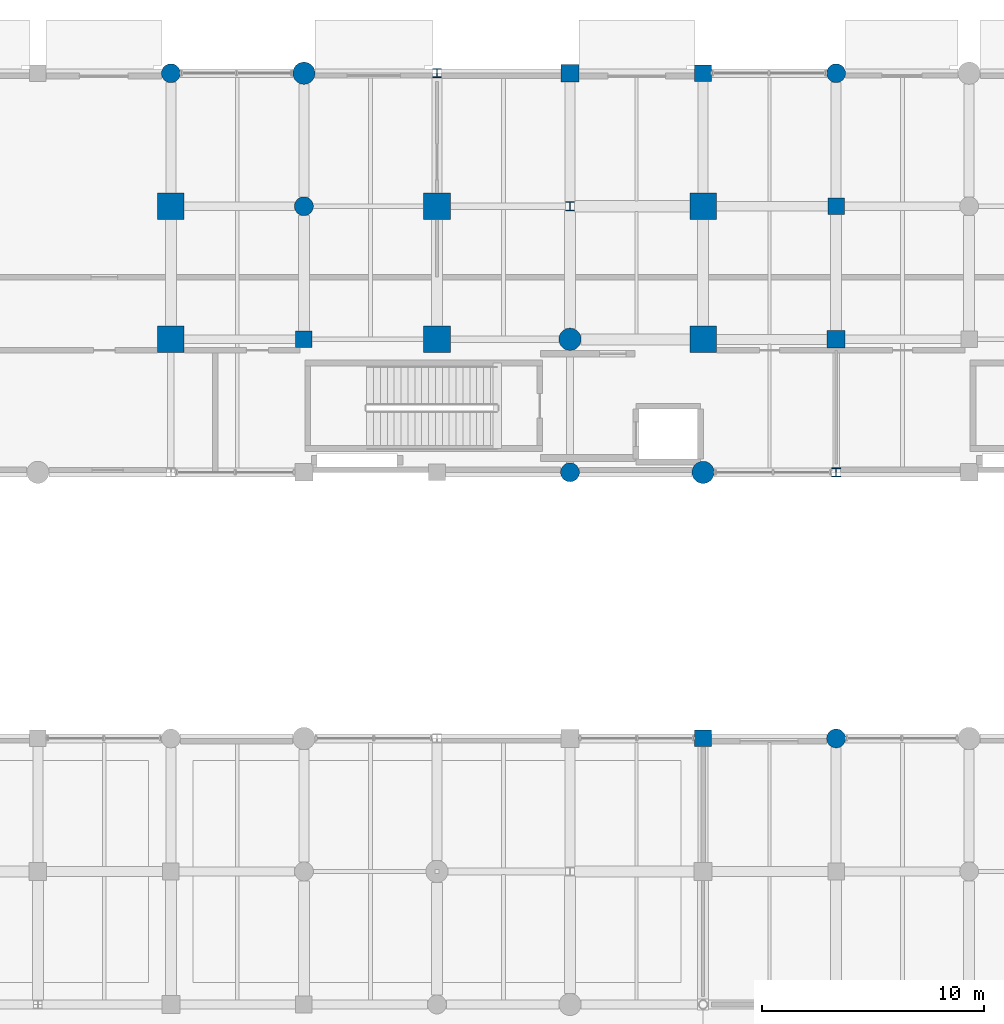
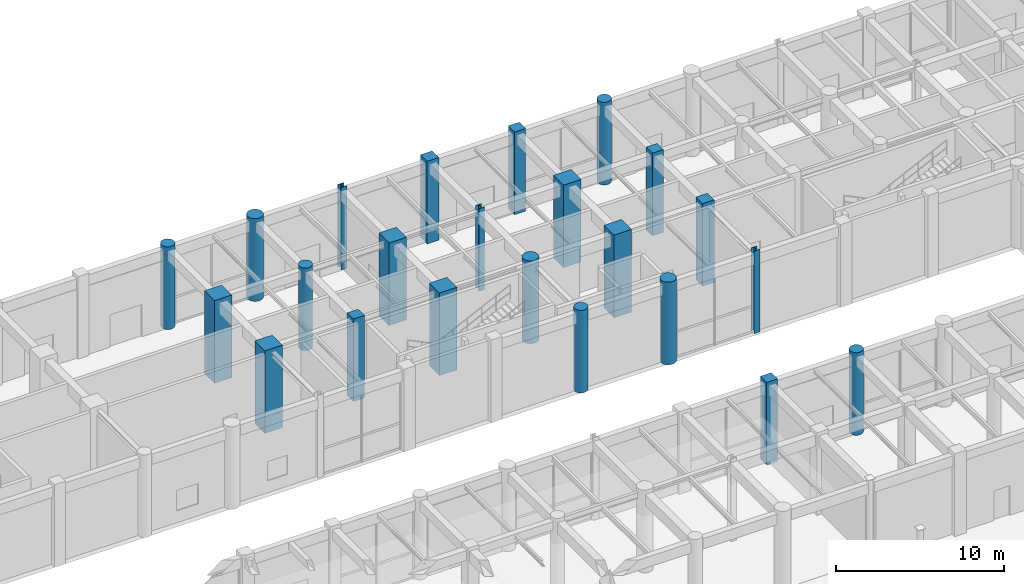
# One storey, part 15 of 106: 23 columns.
"""IFC4 building model written with IfcOpenShell, lengths in metres."""

from ifc_helpers import new_model, si_unit, direction, frame, origin, origin_2d, place, context, subcontext, project, spatial, rectangle, circle, i_section, extrude, material, material_profile, profile_set, type_object, element, save


model = new_model("IFC4")

# Units and contexts
model_context = context("Model", 3, precision=1e-05, world=origin(), true_north=direction((0.0, 1.0)))
body_context = subcontext(model_context, "Body", "Model", "MODEL_VIEW")
ifc_project = project(units=[si_unit("LENGTHUNIT", "METRE"), si_unit("AREAUNIT", "SQUARE_METRE"), si_unit("VOLUMEUNIT", "CUBIC_METRE"), si_unit("PLANEANGLEUNIT", "RADIAN"), si_unit("MASSUNIT", "GRAM", prefix="KILO"), si_unit("THERMODYNAMICTEMPERATUREUNIT", "KELVIN"), si_unit("POWERUNIT", "WATT")], contexts=[model_context])

# Site, building, storey
site_placement = place(None, origin())
site = spatial("IfcSite", under=ifc_project, at=site_placement, CompositionType="ELEMENT")
building_placement = place(site_placement, origin())
building = spatial("IfcBuilding", under=site, at=building_placement, Name="Phaisarnlok Congress Hotel", CompositionType="ELEMENT")
storey_placement = place(building_placement, origin())
storey = spatial("IfcBuildingStorey", under=building, at=storey_placement, Name="L00", CompositionType="ELEMENT", Elevation=0.0)

# Columns
ifc_material_1 = material(Name="Concrete C50/60", Category="concrete")
ifc_material_profile_1 = material_profile(ifc_material_1, rectangle(XDim=1.199951171875, YDim=1.199951171875, at=origin_2d()), Name="RC 1200x1200")
ifc_profile_set_1 = profile_set([ifc_material_profile_1], Name="Concrete C50/60")
column_type_1 = type_object("IfcColumnType", Name="COL-RC-1200", PredefinedType="COLUMN", material=ifc_profile_set_1)
for number, where, z_axis, x_axis, name in (
    (1, (96.0, 114.0, 0.0), (0.0, 0.0, 1.0), (1.0, 0.0, 0.0), "Column C-11 (L00)"),
    (2, (96.0, 120.0, 0.0), (0.0, 0.0, 1.0), (1.0, 0.0, 0.0), "Column C-11 (L00)"),
    (3, (108.0, 114.0, 0.0), (0.0, 0.0, 1.0), (1.0, 0.0, 0.0), "Column C-11 (L00)"),
    (4, (108.0, 120.0, 0.0), (0.0, 0.0, 1.0), (1.0, 0.0, 0.0), "Column C-11 (L00)"),
    (5, (120.0, 114.0, 0.0), (0.0, 0.0, 1.0), (1.0, 0.0, 0.0), "Column C-11 (L00)"),
    (6, (120.0, 120.0, 0.0), (0.0, 0.0, 1.0), (1.0, 0.0, 0.0), "Column C-11 (L00)"),
):
    element("IfcColumn", number, at=place(storey_placement, frame(where, z_axis=z_axis, x_axis=x_axis)), inside=storey, type_object=column_type_1, Name=name, PredefinedType="COLUMN", context=body_context, shape_type="SweptSolid", body=[
        extrude(rectangle(XDim=1.199951171875, YDim=1.199951171875, at=origin_2d()), origin(), (0.0, 0.0, 1.0), 6.0),
    ])
ifc_material_profile_2 = material_profile(ifc_material_1, rectangle(XDim=0.75, YDim=0.75, at=origin_2d()), Name="RC 750x750")
ifc_profile_set_2 = profile_set([ifc_material_profile_2], Name="Concrete C50/60")
column_type_2 = type_object("IfcColumnType", Name="COL-RC-750", PredefinedType="COLUMN", material=ifc_profile_set_2)
for number, where, z_axis, x_axis, name in (
    (7, (102.0, 114.0, 0.0), (0.0, 0.0, 1.0), (1.0, 0.0, 0.0), "Column C-06 (L00)"),
    (8, (120.0, 96.0, 0.0), (0.0, 0.0, 1.0), (1.0, 0.0, 0.0), "Column C-06 (L00)"),
    (9, (126.0, 120.0, 0.0), (0.0, 0.0, 1.0), (1.0, 0.0, 0.0), "Column C-06 (L00)"),
):
    element("IfcColumn", number, at=place(storey_placement, frame(where, z_axis=z_axis, x_axis=x_axis)), inside=storey, type_object=column_type_2, Name=name, PredefinedType="COLUMN", context=body_context, shape_type="SweptSolid", body=[
        extrude(rectangle(XDim=0.75, YDim=0.75, at=origin_2d()), origin(), (0.0, 0.0, 1.0), 6.0),
    ])
ifc_material_profile_3 = material_profile(ifc_material_1, rectangle(XDim=0.75, YDim=0.75, at=origin_2d()), Name="RC 750x750")
ifc_profile_set_3 = profile_set([ifc_material_profile_3], Name="Concrete C50/60")
column_type_3 = type_object("IfcColumnType", Name="COL-RC-750-EXT", PredefinedType="COLUMN", material=ifc_profile_set_3)
column_1_placement = place(storey_placement, frame((120.0, 126.0, 0.0), z_axis=(0.0, 0.0, 1.0), x_axis=(1.0, 0.0, 0.0)))
element("IfcColumn", 10, at=column_1_placement, inside=storey, type_object=column_type_3, Name="Column C-06E (L00)", PredefinedType="COLUMN", context=body_context, shape_type="SweptSolid", body=[
    extrude(rectangle(XDim=0.75, YDim=0.75, at=origin_2d()), origin(), (0.0, 0.0, 1.0), 6.0),
])
ifc_material_profile_4 = material_profile(ifc_material_1, rectangle(XDim=0.800048828125, YDim=0.800048828125, at=origin_2d()), Name="RC 800x800")
ifc_profile_set_4 = profile_set([ifc_material_profile_4], Name="Concrete C50/60")
column_type_4 = type_object("IfcColumnType", Name="COL-RC-800", PredefinedType="COLUMN", material=ifc_profile_set_4)
column_2_placement = place(storey_placement, frame((126.0, 114.0, 0.0), z_axis=(0.0, 0.0, 1.0), x_axis=(1.0, 0.0, 0.0)))
element("IfcColumn", 11, at=column_2_placement, inside=storey, type_object=column_type_4, Name="Column C-07 (L00)", PredefinedType="COLUMN", context=body_context, shape_type="SweptSolid", body=[
    extrude(rectangle(XDim=0.800048828125, YDim=0.800048828125, at=origin_2d()), origin(), (0.0, 0.0, 1.0), 6.0),
])
ifc_material_profile_5 = material_profile(ifc_material_1, rectangle(XDim=0.800048828125, YDim=0.800048828125, at=origin_2d()), Name="RC 800x800")
ifc_profile_set_5 = profile_set([ifc_material_profile_5], Name="Concrete C50/60")
column_type_5 = type_object("IfcColumnType", Name="COL-RC-800-EXT", PredefinedType="COLUMN", material=ifc_profile_set_5)
column_3_placement = place(storey_placement, frame((114.0, 126.0, 0.0), z_axis=(0.0, 0.0, 1.0), x_axis=(1.0, 0.0, 0.0)))
element("IfcColumn", 12, at=column_3_placement, inside=storey, type_object=column_type_5, Name="Column C-07E (L00)", PredefinedType="COLUMN", context=body_context, shape_type="SweptSolid", body=[
    extrude(rectangle(XDim=0.800048828125, YDim=0.800048828125, at=origin_2d()), origin(), (0.0, 0.0, 1.0), 6.0),
])
ifc_material_profile_6 = material_profile(ifc_material_1, circle(Radius=0.5, at=origin_2d()), Name="RCC D1000")
ifc_profile_set_6 = profile_set([ifc_material_profile_6], Name="Concrete C50/60")
column_type_6 = type_object("IfcColumnType", Name="COL-RCC-1000", PredefinedType="COLUMN", material=ifc_profile_set_6)
for number, where, z_axis, x_axis, name in (
    (13, (114.0, 114.0, 0.0), (0.0, 0.0, 1.0), (1.0, 0.0, 0.0), "Column C-15 (L00)"),
    (14, (120.0, 108.0, 0.0), (0.0, 0.0, 1.0), (1.0, 0.0, 0.0), "Column C-15 (L00)"),
):
    element("IfcColumn", number, at=place(storey_placement, frame(where, z_axis=z_axis, x_axis=x_axis)), inside=storey, type_object=column_type_6, Name=name, PredefinedType="COLUMN", context=body_context, shape_type="SweptSolid", body=[
        extrude(circle(Radius=0.5, at=origin_2d()), origin(), (0.0, 0.0, 1.0), 6.0),
    ])
ifc_material_profile_7 = material_profile(ifc_material_1, circle(Radius=0.5, at=origin_2d()), Name="RCC D1000")
ifc_profile_set_7 = profile_set([ifc_material_profile_7], Name="Concrete C50/60")
column_type_7 = type_object("IfcColumnType", Name="COL-RCC-1000-EXT", PredefinedType="COLUMN", material=ifc_profile_set_7)
column_4_placement = place(storey_placement, frame((102.0, 126.0, 0.0), z_axis=(0.0, 0.0, 1.0), x_axis=(1.0, 0.0, 0.0)))
element("IfcColumn", 15, at=column_4_placement, inside=storey, type_object=column_type_7, Name="Column C-15E (L00)", PredefinedType="COLUMN", context=body_context, shape_type="SweptSolid", body=[
    extrude(circle(Radius=0.5, at=origin_2d()), origin(), (0.0, 0.0, 1.0), 6.0),
])
ifc_material_profile_8 = material_profile(ifc_material_1, circle(Radius=0.425048828125, at=origin_2d()), Name="RCC D850")
ifc_profile_set_8 = profile_set([ifc_material_profile_8], Name="Concrete C50/60")
column_type_8 = type_object("IfcColumnType", Name="COL-RCC-850", PredefinedType="COLUMN", material=ifc_profile_set_8)
for number, where, z_axis, x_axis, name in (
    (16, (102.0, 120.0, 0.0), (0.0, 0.0, 1.0), (1.0, 0.0, 0.0), "Column C-14 (L00)"),
    (17, (114.0, 108.0, 0.0), (0.0, 0.0, 1.0), (1.0, 0.0, 0.0), "Column C-14 (L00)"),
    (18, (126.0, 96.0, 0.0), (0.0, 0.0, 1.0), (1.0, 0.0, 0.0), "Column C-14 (L00)"),
):
    element("IfcColumn", number, at=place(storey_placement, frame(where, z_axis=z_axis, x_axis=x_axis)), inside=storey, type_object=column_type_8, Name=name, PredefinedType="COLUMN", context=body_context, shape_type="SweptSolid", body=[
        extrude(circle(Radius=0.425048828125, at=origin_2d()), origin(), (0.0, 0.0, 1.0), 6.0),
    ])
ifc_material_profile_9 = material_profile(ifc_material_1, circle(Radius=0.425048828125, at=origin_2d()), Name="RCC D850")
ifc_profile_set_9 = profile_set([ifc_material_profile_9], Name="Concrete C50/60")
column_type_9 = type_object("IfcColumnType", Name="COL-RCC-850-EXT", PredefinedType="COLUMN", material=ifc_profile_set_9)
for number, where, z_axis, x_axis, name in (
    (19, (96.0, 126.0, 0.0), (0.0, 0.0, 1.0), (1.0, 0.0, 0.0), "Column C-14E (L00)"),
    (20, (126.0, 126.0, 0.0), (0.0, 0.0, 1.0), (1.0, 0.0, 0.0), "Column C-14E (L00)"),
):
    element("IfcColumn", number, at=place(storey_placement, frame(where, z_axis=z_axis, x_axis=x_axis)), inside=storey, type_object=column_type_9, Name=name, PredefinedType="COLUMN", context=body_context, shape_type="SweptSolid", body=[
        extrude(circle(Radius=0.425048828125, at=origin_2d()), origin(), (0.0, 0.0, 1.0), 6.0),
    ])
ifc_material_2 = material(Name="Steel S355", Category="steel")
ifc_material_profile_10 = material_profile(ifc_material_2, i_section(OverallWidth=0.40087890625, OverallDepth=0.39892578125, WebThickness=0.0185546875, FlangeThickness=0.030029296875, FilletRadius=0.014892578125, at=origin_2d()), Name="HD 400x314")
ifc_profile_set_10 = profile_set([ifc_material_profile_10], Name="Steel S355")
column_type_10 = type_object("IfcColumnType", Name="COL-STL-HD314", PredefinedType="COLUMN", material=ifc_profile_set_10)
for number, where, z_axis, x_axis, name in (
    (21, (114.0, 120.0, 0.0), (0.0, 0.0, 1.0), (1.0, 0.0, 0.0), "Column SC-04 (L00)"),
    (22, (126.0, 108.0, 0.0), (0.0, 0.0, 1.0), (1.0, 0.0, 0.0), "Column SC-04 (L00)"),
):
    element("IfcColumn", number, at=place(storey_placement, frame(where, z_axis=z_axis, x_axis=x_axis)), inside=storey, type_object=column_type_10, Name=name, PredefinedType="COLUMN", context=body_context, shape_type="SweptSolid", body=[
        extrude(i_section(OverallWidth=0.40087890625, OverallDepth=0.39892578125, WebThickness=0.0185546875, FlangeThickness=0.030029296875, FilletRadius=0.014892578125, at=origin_2d()), origin(), (0.0, 0.0, 1.0), 6.0),
    ])
ifc_material_profile_11 = material_profile(ifc_material_2, i_section(OverallWidth=0.40087890625, OverallDepth=0.39892578125, WebThickness=0.0185546875, FlangeThickness=0.030029296875, FilletRadius=0.014892578125, at=origin_2d()), Name="HD 400x314")
ifc_profile_set_11 = profile_set([ifc_material_profile_11], Name="Steel S355")
column_type_11 = type_object("IfcColumnType", Name="COL-STL-HD314-EXT", PredefinedType="COLUMN", material=ifc_profile_set_11)
column_5_placement = place(storey_placement, frame((108.0, 126.0, 0.0), z_axis=(0.0, 0.0, 1.0), x_axis=(1.0, 0.0, 0.0)))
element("IfcColumn", 23, at=column_5_placement, inside=storey, type_object=column_type_11, Name="Column SC-04E (L00)", PredefinedType="COLUMN", context=body_context, shape_type="SweptSolid", body=[
    extrude(i_section(OverallWidth=0.40087890625, OverallDepth=0.39892578125, WebThickness=0.0185546875, FlangeThickness=0.030029296875, FilletRadius=0.014892578125, at=origin_2d()), origin(), (0.0, 0.0, 1.0), 6.0),
])

save(model, "model.ifc")
